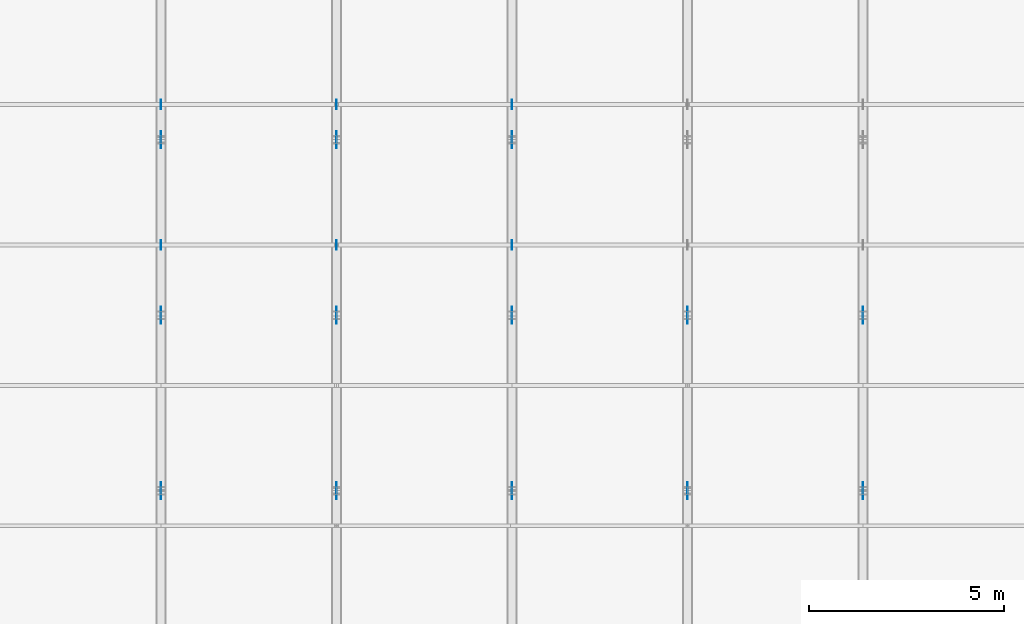
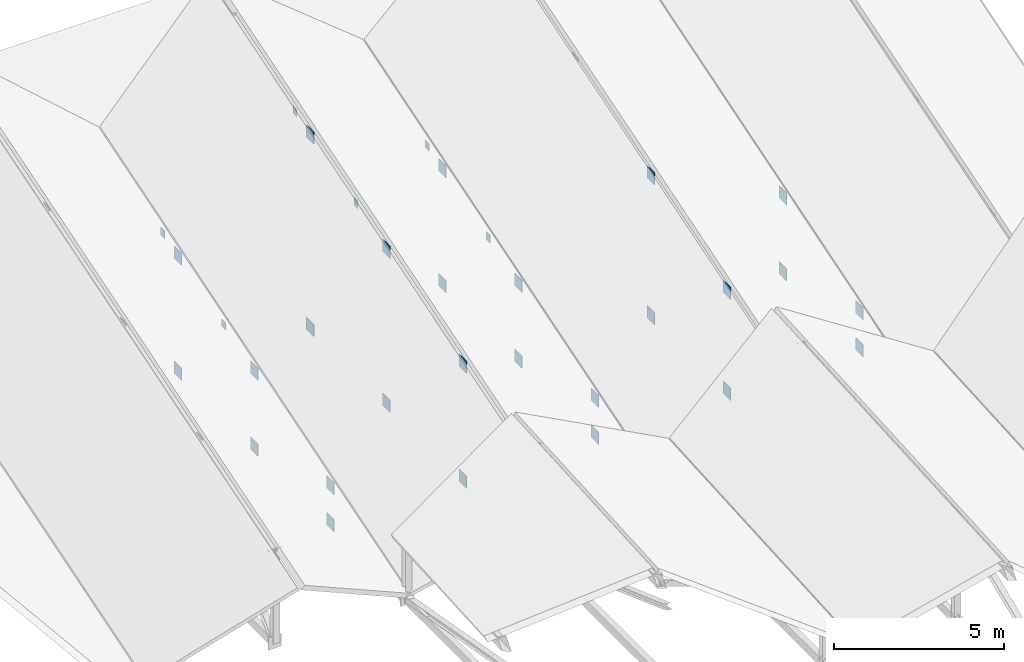
# One storey, part 122 of 142: 32 plates.
"""IFC4 building model written with IfcOpenShell, lengths in metres."""

from ifc_helpers import new_model, si_unit, direction, frame, origin, origin_2d, place, context, subcontext, project, spatial, rectangle, extrude, material, layer, layer_set, type_object, element, save


model = new_model("IFC4")

# Units and contexts
model_context = context("Model", 3, precision=1e-05, world=origin(), true_north=direction((0.0, 1.0)))
body_context = subcontext(model_context, "Body", "Model", "MODEL_VIEW")
ifc_project = project(units=[si_unit("LENGTHUNIT", "METRE"), si_unit("AREAUNIT", "SQUARE_METRE"), si_unit("VOLUMEUNIT", "CUBIC_METRE"), si_unit("PLANEANGLEUNIT", "RADIAN"), si_unit("MASSUNIT", "GRAM", prefix="KILO")], contexts=[model_context])

# Site, building, storey
site_placement = place(None, origin())
site = spatial("IfcSite", under=ifc_project, at=site_placement, CompositionType="ELEMENT")
building_placement = place(site_placement, origin())
building = spatial("IfcBuilding", under=site, at=building_placement, Name="Montelvaro Courts of Justice", CompositionType="ELEMENT")
storey_placement = place(building_placement, frame((0.0, 0.0, 14.39990234375)))
storey = spatial("IfcBuildingStorey", under=building, at=storey_placement, Name="L03", CompositionType="ELEMENT", Elevation=14.39990234375)

# Plates
ifc_material = material(Name="Steel S355", Category="steel")
ifc_layer_1 = layer(ifc_material, 0.011962890625)
ifc_layer_set_1 = layer_set([ifc_layer_1], Name="Steel S355")
plate_type_1 = type_object("IfcPlateType", Name="EndCapPlate_12", PredefinedType="USERDEFINED", material=ifc_layer_set_1)
for number, where, z_axis, x_axis, name in (
    (1, (54.0, 88.800048828125, 2.85009765625), (0.0, 0.0, 1.0), (1.0, 0.0, 0.0), "Purlin End Cap Plate CP-01 04-3R-B"),
    (2, (54.0, 92.39990234375, 3.97021484375), (0.0, 0.0, 1.0), (1.0, 0.0, 0.0), "Purlin End Cap Plate CP-01 04-4R-B"),
    (3, (58.5, 88.800048828125, 5.64990234375), (0.0, 0.0, 1.0), (1.0, 0.0, 0.0), "Purlin End Cap Plate CP-01 05-3L-B"),
    (4, (63.0, 88.800048828125, 2.85009765625), (0.0, 0.0, 1.0), (1.0, 0.0, 0.0), "Purlin End Cap Plate CP-01 05-3R-B"),
    (5, (58.5, 92.39990234375, 6.77001953125), (0.0, 0.0, 1.0), (1.0, 0.0, 0.0), "Purlin End Cap Plate CP-01 05-4L-B"),
    (6, (63.0, 92.39990234375, 3.97021484375), (0.0, 0.0, 1.0), (1.0, 0.0, 0.0), "Purlin End Cap Plate CP-01 05-4R-B"),
):
    element("IfcPlate", number, at=place(storey_placement, frame(where, z_axis=z_axis, x_axis=x_axis)), inside=storey, type_object=plate_type_1, Name=name, ObjectType="GUSSET PLATE", PredefinedType="USERDEFINED", context=body_context, shape_type="SweptSolid", body=[
        extrude(rectangle(XDim=0.011962890625, YDim=0.239990234375, at=origin_2d()), origin(), (0.0, 0.0, 1.0), 0.280029296875),
    ])
ifc_layer_2 = layer(ifc_material, 0.02001953125)
ifc_layer_set_2 = layer_set([ifc_layer_2], Name="Steel S355")
plate_type_2 = type_object("IfcPlateType", Name="GussetPlate_20", PredefinedType="USERDEFINED", material=ifc_layer_set_2)
for number, where, z_axis, x_axis, name in (
    (7, (54.0, 82.5, -0.519775390625), (0.0, 0.0, 1.0), (1.0, 0.0, 0.0), "Roof Truss Gusset Plate GP-01 ROOF-V1-VTR05-1B"),
    (8, (54.0, 82.5, 0.81005859375), (0.0, 0.0, 1.0), (1.0, 0.0, 0.0), "Roof Truss Gusset Plate GP-01 ROOF-V1-VTR05-1T"),
    (9, (54.0, 87.0, -0.519775390625), (0.0, 0.0, 1.0), (1.0, 0.0, 0.0), "Roof Truss Gusset Plate GP-01 ROOF-V1-VTR05-2B"),
    (10, (54.0, 87.0, 2.210205078125), (0.0, 0.0, 1.0), (1.0, 0.0, 0.0), "Roof Truss Gusset Plate GP-01 ROOF-V1-VTR05-2T"),
    (11, (54.0, 91.5, -0.519775390625), (0.0, 0.0, 1.0), (1.0, 0.0, 0.0), "Roof Truss Gusset Plate GP-01 ROOF-V1-VTR05-3B"),
    (12, (54.0, 91.5, 3.610107421875), (0.0, 0.0, 1.0), (1.0, 0.0, 0.0), "Roof Truss Gusset Plate GP-01 ROOF-V1-VTR05-3T"),
    (13, (63.0, 82.5, -0.519775390625), (0.0, 0.0, 1.0), (1.0, 0.0, 0.0), "Roof Truss Gusset Plate GP-01 ROOF-V1-VTR06-1B"),
    (14, (63.0, 82.5, 0.81005859375), (0.0, 0.0, 1.0), (1.0, 0.0, 0.0), "Roof Truss Gusset Plate GP-01 ROOF-V1-VTR06-1T"),
    (15, (63.0, 87.0, -0.519775390625), (0.0, 0.0, 1.0), (1.0, 0.0, 0.0), "Roof Truss Gusset Plate GP-01 ROOF-V1-VTR06-2B"),
    (16, (63.0, 87.0, 2.210205078125), (0.0, 0.0, 1.0), (1.0, 0.0, 0.0), "Roof Truss Gusset Plate GP-01 ROOF-V1-VTR06-2T"),
    (17, (63.0, 91.5, -0.519775390625), (0.0, 0.0, 1.0), (1.0, 0.0, 0.0), "Roof Truss Gusset Plate GP-01 ROOF-V1-VTR06-3B"),
    (18, (63.0, 91.5, 3.610107421875), (0.0, 0.0, 1.0), (1.0, 0.0, 0.0), "Roof Truss Gusset Plate GP-01 ROOF-V1-VTR06-3T"),
    (19, (72.0, 82.5, -0.519775390625), (0.0, 0.0, 1.0), (1.0, 0.0, 0.0), "Roof Truss Gusset Plate GP-01 ROOF-V1-VTR07-1B"),
    (20, (72.0, 82.5, 0.81005859375), (0.0, 0.0, 1.0), (1.0, 0.0, 0.0), "Roof Truss Gusset Plate GP-01 ROOF-V1-VTR07-1T"),
    (21, (72.0, 87.0, -0.519775390625), (0.0, 0.0, 1.0), (1.0, 0.0, 0.0), "Roof Truss Gusset Plate GP-01 ROOF-V1-VTR07-2B"),
    (22, (72.0, 87.0, 2.210205078125), (0.0, 0.0, 1.0), (1.0, 0.0, 0.0), "Roof Truss Gusset Plate GP-01 ROOF-V1-VTR07-2T"),
    (23, (58.5, 82.5, -0.519775390625), (0.0, 0.0, 1.0), (1.0, 0.0, 0.0), "Roof Truss Gusset Plate GP-01 ROOF-V1-RTR05-1B"),
    (24, (58.5, 82.5, 3.610107421875), (0.0, 0.0, 1.0), (1.0, 0.0, 0.0), "Roof Truss Gusset Plate GP-01 ROOF-V1-RTR05-1T"),
    (25, (58.5, 87.0, -0.519775390625), (0.0, 0.0, 1.0), (1.0, 0.0, 0.0), "Roof Truss Gusset Plate GP-01 ROOF-V1-RTR05-2B"),
    (26, (58.5, 87.0, 5.010009765625), (0.0, 0.0, 1.0), (1.0, 0.0, 0.0), "Roof Truss Gusset Plate GP-01 ROOF-V1-RTR05-2T"),
    (27, (58.5, 91.5, -0.519775390625), (0.0, 0.0, 1.0), (1.0, 0.0, 0.0), "Roof Truss Gusset Plate GP-01 ROOF-V1-RTR05-3B"),
    (28, (58.5, 91.5, 6.41015625), (0.0, 0.0, 1.0), (1.0, 0.0, 0.0), "Roof Truss Gusset Plate GP-01 ROOF-V1-RTR05-3T"),
    (29, (67.5, 82.5, -0.519775390625), (0.0, 0.0, 1.0), (1.0, 0.0, 0.0), "Roof Truss Gusset Plate GP-01 ROOF-V1-RTR06-1B"),
    (30, (67.5, 82.5, 3.110107421875), (0.0, 0.0, 1.0), (1.0, 0.0, 0.0), "Roof Truss Gusset Plate GP-01 ROOF-V1-RTR06-1T"),
    (31, (67.5, 87.0, -0.519775390625), (0.0, 0.0, 1.0), (1.0, 0.0, 0.0), "Roof Truss Gusset Plate GP-01 ROOF-V1-RTR06-2B"),
    (32, (67.5, 87.0, 4.510009765625), (0.0, 0.0, 1.0), (1.0, 0.0, 0.0), "Roof Truss Gusset Plate GP-01 ROOF-V1-RTR06-2T"),
):
    element("IfcPlate", number, at=place(storey_placement, frame(where, z_axis=z_axis, x_axis=x_axis)), inside=storey, type_object=plate_type_2, Name=name, ObjectType="GUSSET PLATE", PredefinedType="USERDEFINED", context=body_context, shape_type="SweptSolid", body=[
        extrude(rectangle(XDim=0.02001953125, YDim=0.43994140625, at=origin_2d()), origin(), (0.0, 0.0, 1.0), 0.43994140625),
    ])

save(model, "model.ifc")
